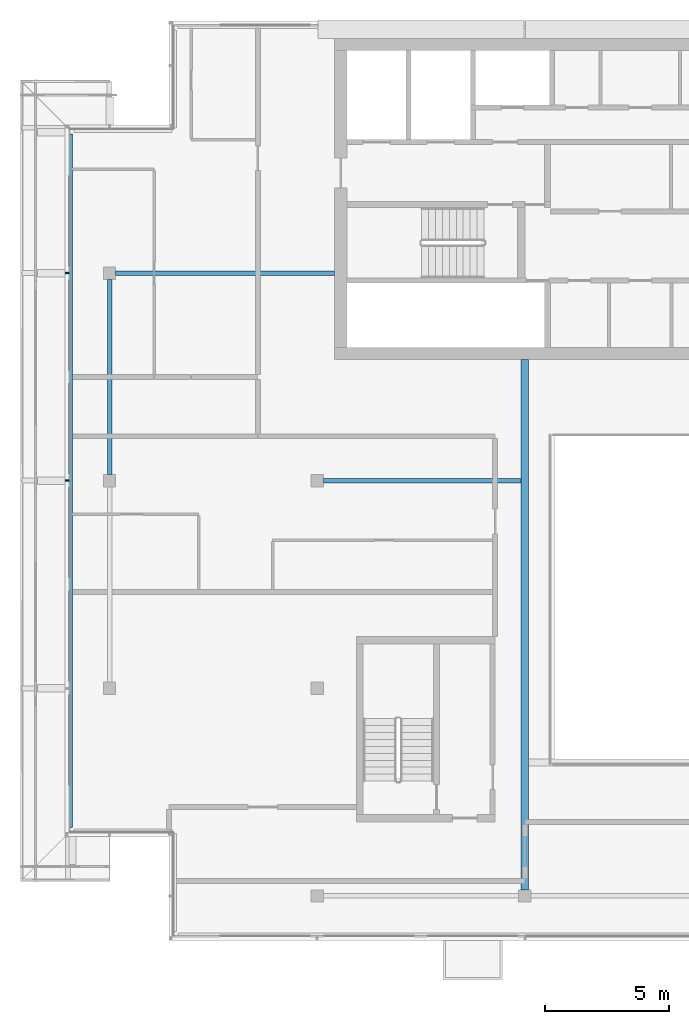
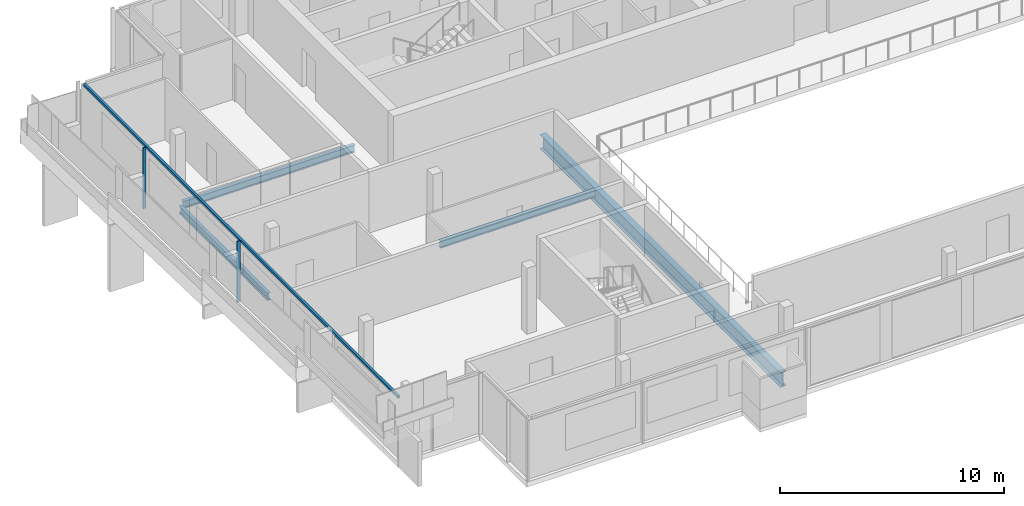
# One storey, part 3 of 19: 4 beams, 3 members, 1 element without a shape of its own.
"""IFC4 building model written with IfcOpenShell, lengths in metres."""

from ifc_helpers import new_model, si_unit, direction, frame, origin, origin_2d, place, context, subcontext, project, spatial, rectangle, i_section, extrude, material, material_profile, profile_set, type_object, element, aggregate, save


model = new_model("IFC4")

# Units and contexts
model_context = context("Model", 3, precision=1e-05, world=origin(), true_north=direction((0.0, 1.0)))
body_context = subcontext(model_context, "Body", "Model", "MODEL_VIEW")
ifc_project = project(units=[si_unit("LENGTHUNIT", "METRE"), si_unit("AREAUNIT", "SQUARE_METRE"), si_unit("VOLUMEUNIT", "CUBIC_METRE"), si_unit("PLANEANGLEUNIT", "RADIAN"), si_unit("MASSUNIT", "GRAM", prefix="KILO")], contexts=[model_context])

# Site, building, storey
site_placement = place(None, origin())
site = spatial("IfcSite", under=ifc_project, at=site_placement, CompositionType="ELEMENT")
building_placement = place(site_placement, origin())
building = spatial("IfcBuilding", under=site, at=building_placement, Name="Saffron Gate Tower", CompositionType="ELEMENT")
storey_placement = place(building_placement, frame((0.0, 0.0, 292.35009765625)))
storey = spatial("IfcBuildingStorey", under=building, at=storey_placement, Name="L71", CompositionType="ELEMENT", Elevation=292.35009765625)

# Beams
ifc_material_1 = material(Name="Structural steel S355", Category="steel")
ifc_material_profile_1 = material_profile(ifc_material_1, i_section(OverallWidth=0.300048828125, OverallDepth=0.7900390625, WebThickness=0.014892578125, FlangeThickness=0.028076171875, FilletRadius=0.030029296875, at=origin_2d()))
ifc_profile_set_1 = profile_set([ifc_material_profile_1], Name="Structural steel S355")
beam_type_1 = type_object("IfcBeamType", Name="B18 HEA 800", PredefinedType="BEAM", material=ifc_profile_set_1)
beam_1_placement = place(storey_placement, frame((75.0, 40.449951171875, -0.675048828125), z_axis=(0.0, 1.0, 0.0), x_axis=(-1.0, 0.0, 0.0)))
element("IfcBeam", 1, at=beam_1_placement, inside=storey, type_object=beam_type_1, Name="B18 ATRIUM GIRDER", PredefinedType="BEAM", context=body_context, shape_type="SweptSolid", body=[
    extrude(i_section(OverallWidth=0.300048828125, OverallDepth=0.7900390625, WebThickness=0.014892578125, FlangeThickness=0.028076171875, FilletRadius=0.030029296875, at=origin_2d()), origin(), (0.0, 0.0, 1.0), 21.449951171875),
])
ifc_material_profile_2 = material_profile(ifc_material_1, i_section(OverallWidth=0.179931640625, OverallDepth=0.39990234375, WebThickness=0.008544921875, FlangeThickness=0.013427734375, FilletRadius=0.02099609375, at=origin_2d()))
ifc_profile_set_2 = profile_set([ifc_material_profile_2], Name="Structural steel S355")
beam_type_2 = type_object("IfcBeamType", Name="B4 IPE 400", PredefinedType="BEAM", material=ifc_profile_set_2)
beam_2_placement = place(storey_placement, frame((66.85009765625, 57.0, -0.47998046875), z_axis=(1.0, 0.0, 0.0), x_axis=(0.0, 1.0, 0.0)))
element("IfcBeam", 2, at=beam_2_placement, inside=storey, type_object=beam_type_2, Name="B4 CORE TIE BEAM", PredefinedType="BEAM", context=body_context, shape_type="SweptSolid", body=[
    extrude(i_section(OverallWidth=0.179931640625, OverallDepth=0.39990234375, WebThickness=0.008544921875, FlangeThickness=0.013427734375, FilletRadius=0.02099609375, at=origin_2d()), origin(), (0.0, 0.0, 1.0), 8.0),
])
beam_3_placement = place(storey_placement, frame((58.449951171875, 65.39990234375, -0.47998046875), z_axis=(1.0, 0.0, 0.0), x_axis=(0.0, 1.0, 0.0)))
element("IfcBeam", 3, at=beam_3_placement, inside=storey, type_object=beam_type_2, Name="B4 CORE TIE BEAM", PredefinedType="BEAM", context=body_context, shape_type="SweptSolid", body=[
    extrude(i_section(OverallWidth=0.179931640625, OverallDepth=0.39990234375, WebThickness=0.008544921875, FlangeThickness=0.013427734375, FilletRadius=0.02099609375, at=origin_2d()), origin(), (0.0, 0.0, 1.0), 8.85009765625),
])
ifc_material_profile_3 = material_profile(ifc_material_1, i_section(OverallWidth=0.179931640625, OverallDepth=0.39990234375, WebThickness=0.008544921875, FlangeThickness=0.013427734375, FilletRadius=0.02099609375, at=origin_2d()))
ifc_profile_set_3 = profile_set([ifc_material_profile_3], Name="Structural steel S355")
beam_type_3 = type_object("IfcBeamType", Name="B5 IPE 400", PredefinedType="SPANDREL", material=ifc_profile_set_3)
beam_4_placement = place(storey_placement, frame((58.199951171875, 57.25, -0.47998046875), z_axis=(0.0, 1.0, 0.0), x_axis=(-1.0, 0.0, 0.0)))
element("IfcBeam", 4, at=beam_4_placement, inside=storey, type_object=beam_type_3, Name="B5 SPANDREL BEAM", PredefinedType="SPANDREL", context=body_context, shape_type="SweptSolid", body=[
    extrude(i_section(OverallWidth=0.179931640625, OverallDepth=0.39990234375, WebThickness=0.008544921875, FlangeThickness=0.013427734375, FilletRadius=0.02099609375, at=origin_2d()), origin(), (0.0, 0.0, 1.0), 7.89990234375),
])

# Curtain wall, members
ifc_material_2 = material(Name="Aluminium, bronze anodised", Category="aluminium")
curtain_wall_type = type_object("IfcCurtainWallType", Name="CWS2 curtain wall side facades", PredefinedType="NOTDEFINED", material=ifc_material_2)
curtain_wall_placement = place(storey_placement, origin())
curtain_wall = element("IfcCurtainWall", 5, at=curtain_wall_placement, inside=storey, type_object=curtain_wall_type, Name="CWS2 run 10", PredefinedType="NOTDEFINED")
ifc_material_profile_4 = material_profile(ifc_material_2, rectangle(XDim=0.1201171875, YDim=0.1201171875, at=origin_2d()))
ifc_profile_set_4 = profile_set([ifc_material_profile_4], Name="Aluminium, bronze anodised")
member_type_1 = type_object("IfcMemberType", Name="CWS2 head transom", PredefinedType="USERDEFINED", material=ifc_profile_set_4)
member_1_placement = place(storey_placement, frame((56.64794921875, 71.031982421875, 3.260009765625), z_axis=(0.0, -1.0, 0.0), x_axis=(1.0, 0.0, 0.0)))
member_1 = element("IfcMember", 6, at=member_1_placement, type_object=member_type_1, Name="CWS2 head transom", ObjectType="TRANSOM", PredefinedType="USERDEFINED", context=body_context, shape_type="SweptSolid", body=[
    extrude(rectangle(XDim=0.1201171875, YDim=0.1201171875, at=origin_2d()), origin(), (0.0, 0.0, 1.0), 28.06396484375),
])
ifc_material_profile_5 = material_profile(ifc_material_2, rectangle(XDim=0.159912109375, YDim=0.06005859375, at=origin_2d()))
ifc_profile_set_5 = profile_set([ifc_material_profile_5], Name="Aluminium, bronze anodised")
member_type_2 = type_object("IfcMemberType", Name="CWS2 mullion 60x160", PredefinedType="MULLION", material=ifc_profile_set_5)
member_2_placement = place(storey_placement, frame((56.47998046875, 65.39990234375, 0.0), z_axis=(0.0, 0.0, 1.0), x_axis=(1.0, 0.0, 0.0)))
member_2 = element("IfcMember", 7, at=member_2_placement, type_object=member_type_2, Name="CWS2 mullion 2", PredefinedType="MULLION", context=body_context, shape_type="SweptSolid", body=[
    extrude(rectangle(XDim=0.159912109375, YDim=0.06005859375, at=origin_2d()), origin(), (0.0, 0.0, 1.0), 3.31982421875),
])
member_3_placement = place(storey_placement, frame((56.47998046875, 57.0, 0.0), z_axis=(0.0, 0.0, 1.0), x_axis=(1.0, 0.0, 0.0)))
member_3 = element("IfcMember", 8, at=member_3_placement, type_object=member_type_2, Name="CWS2 mullion 3", PredefinedType="MULLION", context=body_context, shape_type="SweptSolid", body=[
    extrude(rectangle(XDim=0.159912109375, YDim=0.06005859375, at=origin_2d()), origin(), (0.0, 0.0, 1.0), 3.31982421875),
])
aggregate(curtain_wall, [member_2, member_3, member_1])

save(model, "model.ifc")
